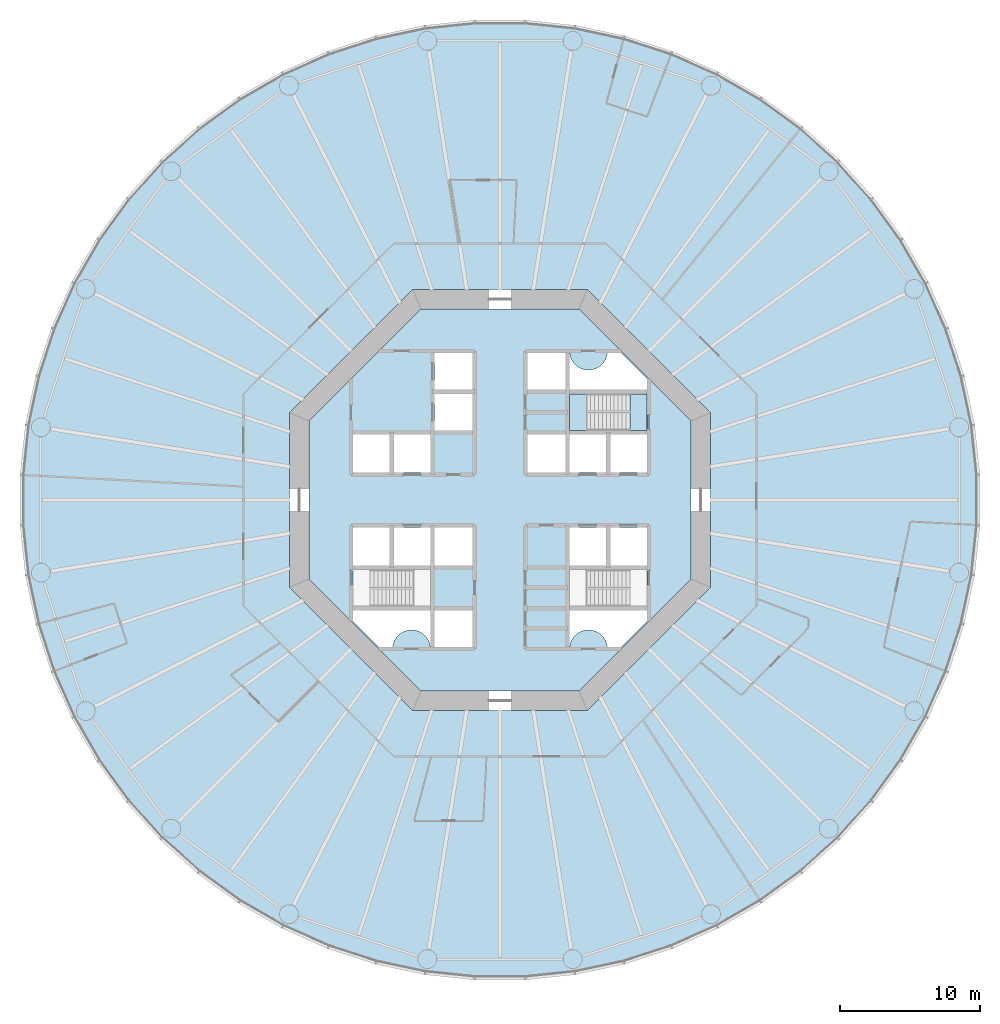
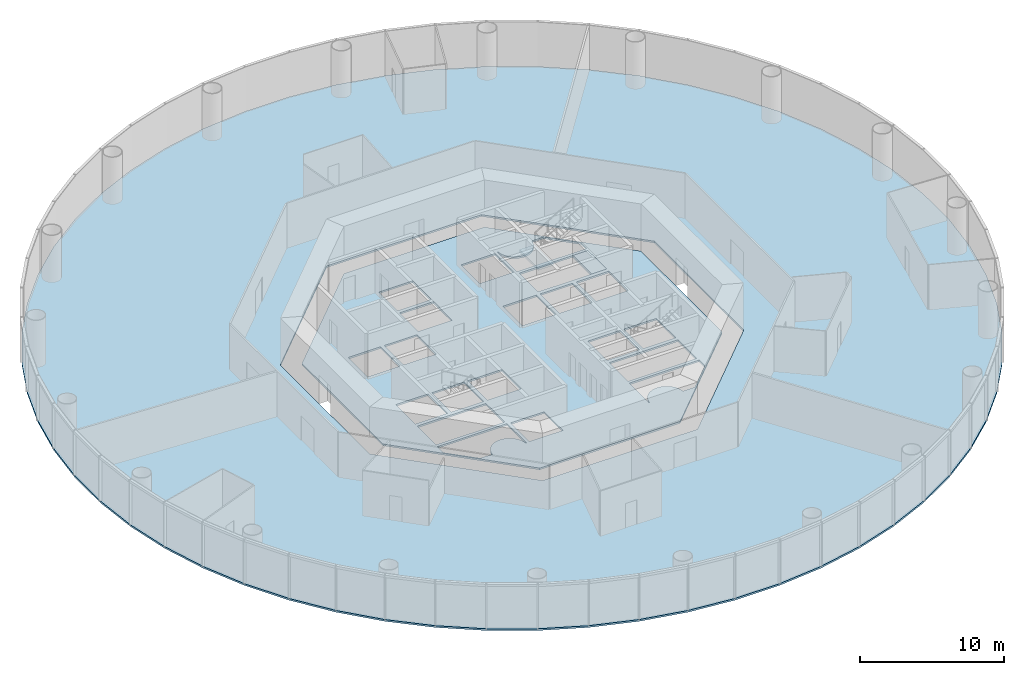
# One storey, part 2 of 13: 4 slabs, 1 element without a shape of its own.
"""IFC4 building model written with IfcOpenShell, lengths in metres."""

from ifc_helpers import new_model, si_unit, direction, frame, origin, place, context, subcontext, project, spatial, polyline, outline, extrude, material, layer, layer_set, type_object, element, aggregate, save


model = new_model("IFC4")

# Units and contexts
model_context = context("Model", 3, precision=1e-05, world=origin(), true_north=direction((0.0, 1.0)))
body_context = subcontext(model_context, "Body", "Model", "MODEL_VIEW")
ifc_project = project(units=[si_unit("LENGTHUNIT", "METRE"), si_unit("AREAUNIT", "SQUARE_METRE"), si_unit("VOLUMEUNIT", "CUBIC_METRE"), si_unit("PLANEANGLEUNIT", "RADIAN"), si_unit("MASSUNIT", "GRAM", prefix="KILO")], contexts=[model_context])

# Site, building, storey
site_placement = place(None, origin())
site = spatial("IfcSite", under=ifc_project, at=site_placement, CompositionType="ELEMENT")
building_placement = place(site_placement, origin())
building = spatial("IfcBuilding", under=site, at=building_placement, Name="Entoto Ring Tower", CompositionType="ELEMENT")
storey_placement = place(building_placement, frame((0.0, 0.0, 42.0)))
storey = spatial("IfcBuildingStorey", under=building, at=storey_placement, Name="L08", CompositionType="ELEMENT", Elevation=42.0)

# Slabs
ifc_material_1 = material(Name="Concrete C30/37", Category="concrete")
ifc_layer_1 = layer(ifc_material_1, 0.14990234375)
ifc_layer_set_1 = layer_set([ifc_layer_1], Name="Concrete C30/37")
slab_type_1 = type_object("IfcSlabType", Name="Composite floor slab 150 mm", PredefinedType="FLOOR", material=ifc_layer_set_1)
slab_1_placement = place(storey_placement, frame((0.0, 0.0, -0.14990234375)))
element("IfcSlab", 1, at=slab_1_placement, inside=storey, type_object=slab_type_1, Name="Floor slab L08", PredefinedType="FLOOR", context=body_context, shape_type="SweptSolid", body=[
    extrude(outline(polyline([(123.68017578125, 85.33447265625), (122.93798828125, 88.82568359375), (121.835205078125, 92.220458984375), (120.38330078125, 95.48095703125), (118.5986328125, 98.572265625), (116.500732421875, 101.459716796875), (114.1123046875, 104.1123046875), (111.459716796875, 106.500732421875), (108.572265625, 108.5986328125), (105.48095703125, 110.38330078125), (102.220458984375, 111.835205078125), (98.82568359375, 112.93798828125), (95.33447265625, 113.68017578125), (91.78466796875, 114.05322265625), (88.21533203125, 114.05322265625), (84.66552734375, 113.68017578125), (81.17431640625, 112.93798828125), (77.779541015625, 111.835205078125), (74.51904296875, 110.38330078125), (71.427734375, 108.5986328125), (68.540283203125, 106.500732421875), (65.8876953125, 104.1123046875), (63.499267578125, 101.459716796875), (61.4013671875, 98.572265625), (59.61669921875, 95.48095703125), (58.164794921875, 92.220458984375), (57.06201171875, 88.82568359375), (56.31982421875, 85.33447265625), (55.94677734375, 81.78466796875), (55.94677734375, 78.21533203125), (56.31982421875, 74.66552734375), (57.06201171875, 71.17431640625), (58.164794921875, 67.779541015625), (59.61669921875, 64.51904296875), (61.4013671875, 61.427734375), (63.499267578125, 58.540283203125), (65.8876953125, 55.8876953125), (68.540283203125, 53.499267578125), (71.427734375, 51.4013671875), (74.51904296875, 49.61669921875), (77.779541015625, 48.164794921875), (81.17431640625, 47.06201171875), (84.66552734375, 46.31982421875), (88.21533203125, 45.94677734375), (91.78466796875, 45.94677734375), (95.33447265625, 46.31982421875), (98.82568359375, 47.06201171875), (102.220458984375, 48.164794921875), (105.48095703125, 49.61669921875), (108.572265625, 51.4013671875), (111.459716796875, 53.499267578125), (114.1123046875, 55.8876953125), (116.500732421875, 58.540283203125), (118.5986328125, 61.427734375), (120.38330078125, 64.51904296875), (121.835205078125, 67.779541015625), (122.93798828125, 71.17431640625), (123.68017578125, 74.66552734375), (124.05322265625, 78.21533203125), (124.05322265625, 81.78466796875), (123.68017578125, 85.33447265625)]), holes=[polyline([(105.0, 73.786865234375), (105.0, 86.213134765625), (96.213134765625, 95.0), (83.786865234375, 95.0), (75.0, 86.213134765625), (75.0, 73.786865234375), (83.786865234375, 65.0), (96.213134765625, 65.0), (105.0, 73.786865234375)])]), origin(), (0.0, 0.0, 1.0), 0.14990234375),
])
ifc_material_2 = material(Name="Concrete C40/50", Category="concrete")
ifc_layer_2 = layer(ifc_material_2, 0.14990234375)
ifc_layer_set_2 = layer_set([ifc_layer_2], Name="Concrete C40/50")
slab_type_2 = type_object("IfcSlabType", Name="Core floor slab 150 mm reinforced concrete C40/50", PredefinedType="FLOOR", material=ifc_layer_set_2)
slab_2_placement = place(storey_placement, frame((0.0, 0.0, -0.14990234375)))
element("IfcSlab", 2, at=slab_2_placement, inside=storey, type_object=slab_type_2, Name="Core floor L08", PredefinedType="FLOOR", context=body_context, shape_type="SweptSolid", body=[
    extrude(outline(polyline([(103.60009765625, 74.36669921875), (103.60009765625, 85.63330078125), (95.63330078125, 93.60009765625), (84.36669921875, 93.60009765625), (76.39990234375, 85.63330078125), (76.39990234375, 74.36669921875), (84.36669921875, 66.39990234375), (95.63330078125, 66.39990234375), (103.60009765625, 74.36669921875)]), holes=[polyline([(100.449951171875, 84.949951171875), (100.449951171875, 87.550048828125), (94.949951171875, 87.550048828125), (94.949951171875, 84.949951171875), (100.449951171875, 84.949951171875)]), polyline([(85.050048828125, 72.449951171875), (85.050048828125, 75.050048828125), (79.550048828125, 75.050048828125), (79.550048828125, 72.449951171875), (85.050048828125, 72.449951171875)]), polyline([(100.449951171875, 72.449951171875), (100.449951171875, 75.050048828125), (94.949951171875, 75.050048828125), (94.949951171875, 72.449951171875), (100.449951171875, 72.449951171875)]), polyline([(94.949951171875, 81.949951171875), (97.550048828125, 81.949951171875), (97.550048828125, 84.64990234375), (94.949951171875, 84.64990234375), (94.949951171875, 81.949951171875)]), polyline([(97.85009765625, 81.949951171875), (100.449951171875, 81.949951171875), (100.449951171875, 84.64990234375), (97.85009765625, 84.64990234375), (97.85009765625, 81.949951171875)]), polyline([(82.449951171875, 81.949951171875), (85.050048828125, 81.949951171875), (85.050048828125, 84.64990234375), (82.449951171875, 84.64990234375), (82.449951171875, 81.949951171875)]), polyline([(94.949951171875, 75.35009765625), (97.550048828125, 75.35009765625), (97.550048828125, 78.050048828125), (94.949951171875, 78.050048828125), (94.949951171875, 75.35009765625)]), polyline([(97.85009765625, 75.35009765625), (100.449951171875, 75.35009765625), (100.449951171875, 78.050048828125), (97.85009765625, 78.050048828125), (97.85009765625, 75.35009765625)]), polyline([(82.449951171875, 75.35009765625), (85.050048828125, 75.35009765625), (85.050048828125, 78.050048828125), (82.449951171875, 78.050048828125), (82.449951171875, 75.35009765625)]), polyline([(79.550048828125, 81.949951171875), (82.14990234375, 81.949951171875), (82.14990234375, 84.64990234375), (79.550048828125, 84.64990234375), (79.550048828125, 81.949951171875)]), polyline([(79.550048828125, 75.35009765625), (82.14990234375, 75.35009765625), (82.14990234375, 78.050048828125), (79.550048828125, 78.050048828125), (79.550048828125, 75.35009765625)]), polyline([(91.949951171875, 87.85009765625), (94.64990234375, 87.85009765625), (94.64990234375, 90.449951171875), (91.949951171875, 90.449951171875), (91.949951171875, 87.85009765625)]), polyline([(85.35009765625, 69.550048828125), (88.050048828125, 69.550048828125), (88.050048828125, 72.14990234375), (85.35009765625, 72.14990234375), (85.35009765625, 69.550048828125)]), polyline([(91.949951171875, 81.949951171875), (94.64990234375, 81.949951171875), (94.64990234375, 84.64990234375), (91.949951171875, 84.64990234375), (91.949951171875, 81.949951171875)]), polyline([(85.35009765625, 75.35009765625), (88.050048828125, 75.35009765625), (88.050048828125, 78.050048828125), (85.35009765625, 78.050048828125), (85.35009765625, 75.35009765625)]), polyline([(85.35009765625, 84.949951171875), (88.050048828125, 84.949951171875), (88.050048828125, 87.550048828125), (85.35009765625, 87.550048828125), (85.35009765625, 84.949951171875)]), polyline([(85.35009765625, 87.85009765625), (88.050048828125, 87.85009765625), (88.050048828125, 90.449951171875), (85.35009765625, 90.449951171875), (85.35009765625, 87.85009765625)]), polyline([(94.89990234375, 90.5), (94.89990234375, 87.800048828125), (100.5, 87.800048828125), (100.5, 88.591796875), (98.591796875, 90.5), (97.64501953125, 90.5), (97.6435546875, 90.4677734375), (97.6240234375, 90.336669921875), (97.591796875, 90.2080078125), (97.547119140625, 90.08349609375), (97.490478515625, 89.963623046875), (97.422607421875, 89.85009765625), (97.343505859375, 89.74365234375), (97.254638671875, 89.6455078125), (97.156494140625, 89.556396484375), (97.050048828125, 89.4775390625), (96.936279296875, 89.409423828125), (96.816650390625, 89.352783203125), (96.69189453125, 89.30810546875), (96.5634765625, 89.27587890625), (96.432373046875, 89.256591796875), (96.300048828125, 89.25), (96.167724609375, 89.256591796875), (96.03662109375, 89.27587890625), (95.908203125, 89.30810546875), (95.783447265625, 89.352783203125), (95.66357421875, 89.409423828125), (95.550048828125, 89.4775390625), (95.443603515625, 89.556396484375), (95.345458984375, 89.6455078125), (95.25634765625, 89.74365234375), (95.177490234375, 89.85009765625), (95.109375, 89.963623046875), (95.052734375, 90.08349609375), (95.008056640625, 90.2080078125), (94.975830078125, 90.336669921875), (94.95654296875, 90.4677734375), (94.954833984375, 90.5), (94.89990234375, 90.5)]), polyline([(79.5, 71.408203125), (81.408203125, 69.5), (82.35498046875, 69.5), (82.3564453125, 69.5322265625), (82.3759765625, 69.663330078125), (82.408203125, 69.7919921875), (82.452880859375, 69.91650390625), (82.509521484375, 70.036376953125), (82.577392578125, 70.14990234375), (82.656494140625, 70.25634765625), (82.745361328125, 70.3544921875), (82.843505859375, 70.443603515625), (82.949951171875, 70.5224609375), (83.063720703125, 70.590576171875), (83.183349609375, 70.647216796875), (83.30810546875, 70.69189453125), (83.4365234375, 70.72412109375), (83.567626953125, 70.743408203125), (83.699951171875, 70.75), (83.832275390625, 70.743408203125), (83.96337890625, 70.72412109375), (84.091796875, 70.69189453125), (84.216552734375, 70.647216796875), (84.33642578125, 70.590576171875), (84.449951171875, 70.5224609375), (84.556396484375, 70.443603515625), (84.654541015625, 70.3544921875), (84.74365234375, 70.25634765625), (84.822509765625, 70.14990234375), (84.890625, 70.036376953125), (84.947265625, 69.91650390625), (84.991943359375, 69.7919921875), (85.024169921875, 69.663330078125), (85.04345703125, 69.5322265625), (85.045166015625, 69.5), (85.10009765625, 69.5), (85.10009765625, 72.199951171875), (79.5, 72.199951171875), (79.5, 71.408203125)]), polyline([(97.64501953125, 69.5), (98.591796875, 69.5), (100.5, 71.408203125), (100.5, 72.199951171875), (94.89990234375, 72.199951171875), (94.89990234375, 69.5), (94.954833984375, 69.5), (94.95654296875, 69.5322265625), (94.975830078125, 69.663330078125), (95.008056640625, 69.7919921875), (95.052734375, 69.91650390625), (95.109375, 70.036376953125), (95.177490234375, 70.14990234375), (95.25634765625, 70.25634765625), (95.345458984375, 70.3544921875), (95.443603515625, 70.443603515625), (95.550048828125, 70.5224609375), (95.66357421875, 70.590576171875), (95.783447265625, 70.647216796875), (95.908203125, 70.69189453125), (96.03662109375, 70.72412109375), (96.167724609375, 70.743408203125), (96.300048828125, 70.75), (96.432373046875, 70.743408203125), (96.5634765625, 70.72412109375), (96.69189453125, 70.69189453125), (96.816650390625, 70.647216796875), (96.936279296875, 70.590576171875), (97.050048828125, 70.5224609375), (97.156494140625, 70.443603515625), (97.254638671875, 70.3544921875), (97.343505859375, 70.25634765625), (97.422607421875, 70.14990234375), (97.490478515625, 70.036376953125), (97.547119140625, 69.91650390625), (97.591796875, 69.7919921875), (97.6240234375, 69.663330078125), (97.6435546875, 69.5322265625), (97.64501953125, 69.5)])]), origin(), (0.0, 0.0, 1.0), 0.14990234375),
])

# Stair, slabs
ifc_material_3 = material(Name="Concrete C40/50", Category="concrete")
stair_type = type_object("IfcStairType", Name="Exit stair 1200 mm dog-leg reinforced concrete", PredefinedType="HALF_TURN_STAIR", material=ifc_material_3)
stair_placement = place(storey_placement, origin())
stair = element("IfcStair", 3, at=stair_placement, inside=storey, type_object=stair_type, Name="Exit stair 1", PredefinedType="HALF_TURN_STAIR")
ifc_material_4 = material(Name="Concrete C40/50", Category="concrete")
ifc_layer_3 = layer(ifc_material_4, 0.199951171875)
ifc_layer_set_3 = layer_set([ifc_layer_3], Name="Concrete C40/50")
slab_type_3 = type_object("IfcSlabType", Name="Stair landing 200 mm reinforced concrete", PredefinedType="LANDING", material=ifc_layer_set_3)
slab_3_placement = place(storey_placement, frame((0.0, 0.0, -0.199951171875)))
slab_3 = element("IfcSlab", 4, at=slab_3_placement, type_object=slab_type_3, Name="ST1 landing 1", PredefinedType="LANDING", context=body_context, shape_type="SweptSolid", body=[
    extrude(outline(polyline([(100.449951171875, 84.949951171875), (100.449951171875, 87.550048828125), (99.25, 87.550048828125), (99.25, 84.949951171875), (100.449951171875, 84.949951171875)])), origin(), (0.0, 0.0, 1.0), 0.199951171875),
])
slab_4_placement = place(storey_placement, frame((0.0, 0.0, 1.800048828125)))
slab_4 = element("IfcSlab", 5, at=slab_4_placement, type_object=slab_type_3, Name="ST1 landing 2", PredefinedType="LANDING", context=body_context, shape_type="SweptSolid", body=[
    extrude(outline(polyline([(94.949951171875, 84.949951171875), (96.169921875, 84.949951171875), (96.169921875, 87.550048828125), (94.949951171875, 87.550048828125), (94.949951171875, 84.949951171875)])), origin(), (0.0, 0.0, 1.0), 0.199951171875),
])
aggregate(stair, [slab_3, slab_4])

save(model, "model.ifc")
